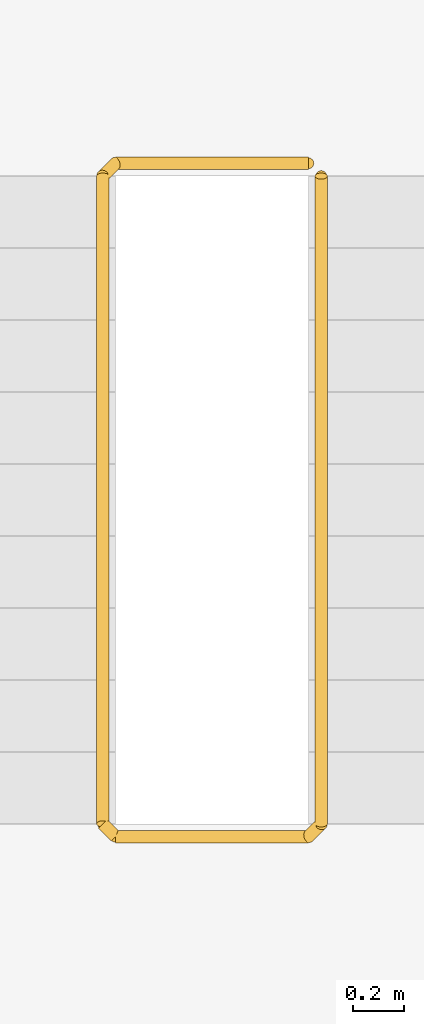
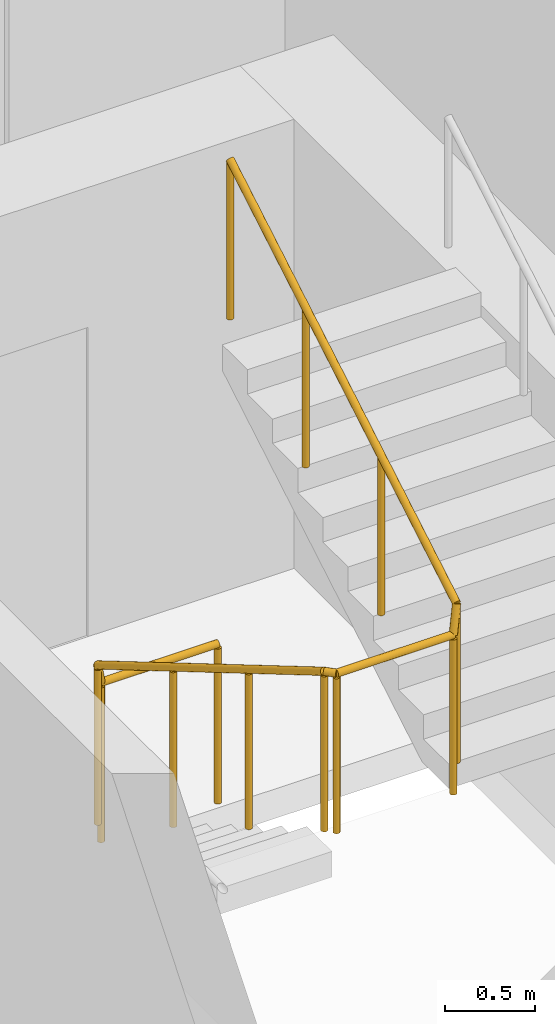
# One storey, part 11 of 12: 1 railing.
"""IFC4 building model written with IfcOpenShell, lengths in metres."""

import ifcopenshell
import ifcopenshell.guid

model = None  # the IFC model being written
_history = None  # IfcOwnerHistory: only IFC2X3 demands one
_inside = {}  # id of a spatial element -> (the spatial element, [elements in it])
_under = {}  # id of a project, library or spatial element -> (it, [spatial elements below it])
_declared = {}  # id of a project -> (the project, [libraries it declares])
_typed = {}  # id of a type object -> (the type object, [elements of that type])
_made_of = {}  # id of a material, layer set ... -> (it, [elements and type objects made of it])


def new_model(schema):
    """Start an empty IFC model of exactly this schema.

    Asked for "IFC4X3", IfcOpenShell would pick the latest addendum, in which some entities
    have other attributes; the version numbers below select the first issue.
    IFC2X3 requires an IfcOwnerHistory on every rooted entity: one is made here for all.
    """
    global model, _history
    if schema == "IFC4X3":
        model = ifcopenshell.file(schema_version=(4, 3, 0, 0))
    else:
        model = ifcopenshell.file(schema=schema)
    _inside.clear()
    _under.clear()
    _declared.clear()
    _typed.clear()
    _made_of.clear()
    _history = None
    if model.schema == "IFC2X3":
        org = make("IfcOrganization", Name="unknown")
        user = make(
            "IfcPersonAndOrganization",
            ThePerson=make("IfcPerson", FamilyName="unknown"),
            TheOrganization=org,
        )
        app = make(
            "IfcApplication",
            ApplicationDeveloper=org,
            Version="unknown",
            ApplicationFullName="unknown",
            ApplicationIdentifier="unknown",
        )
        _history = make(
            "IfcOwnerHistory",
            OwningUser=user,
            OwningApplication=app,
            ChangeAction="ADDED",
            CreationDate=0,
        )
    return model


def make(cls, **values):
    """One entity of the class cls with the attributes given. An attribute that is None is left unset."""
    return model.create_entity(
        cls, **{name: value for name, value in values.items() if value is not None}
    )


def rooted(cls, **values):
    """An entity with a GlobalId (a new one), such as an element, a storey or a relation."""
    return make(cls, GlobalId=ifcopenshell.guid.new(), OwnerHistory=_history, **values)


def si_unit(unit_type, name, prefix=None):
    """IfcSIUnit, for example si_unit("LENGTHUNIT", "METRE", prefix="MILLI")."""
    return make("IfcSIUnit", UnitType=unit_type, Prefix=prefix, Name=name)


def assignment(units):
    """IfcUnitAssignment: the units of a project."""
    return None if units is None else make("IfcUnitAssignment", Units=units)


def point(xyz):
    """IfcCartesianPoint."""
    return None if xyz is None else make("IfcCartesianPoint", Coordinates=xyz)


def direction(xyz):
    """IfcDirection."""
    return None if xyz is None else make("IfcDirection", DirectionRatios=xyz)


def frame(location, z_axis=None, x_axis=None):
    """IfcAxis2Placement3D, a coordinate frame: its origin and axes. An axis left out is left unset."""
    return make(
        "IfcAxis2Placement3D",
        Location=point(location),
        Axis=direction(z_axis),
        RefDirection=direction(x_axis),
    )


def frame_2d(location, x_axis=None):
    """IfcAxis2Placement2D, a coordinate frame in the plane: its origin and x axis."""
    return make(
        "IfcAxis2Placement2D", Location=point(location), RefDirection=direction(x_axis)
    )


def origin():
    """The frame at (0, 0, 0) with its axes left unset."""
    return frame((0.0, 0.0, 0.0))


def origin_2d():
    """The frame at (0, 0) in the plane with its x axis left unset."""
    return frame_2d((0.0, 0.0))


def place(relative_to, where):
    """IfcLocalPlacement: puts the frame where relative to a parent placement (None: the world)."""
    return make(
        "IfcLocalPlacement", PlacementRelTo=relative_to, RelativePlacement=where
    )


def context(
    kind, dimensions, precision=None, world=None, true_north=None, identifier=None
):
    """IfcGeometricRepresentationContext, for example the 3D "Model" context."""
    return make(
        "IfcGeometricRepresentationContext",
        ContextIdentifier=identifier,
        ContextType=kind,
        CoordinateSpaceDimension=dimensions,
        Precision=precision,
        WorldCoordinateSystem=world,
        TrueNorth=true_north,
    )


def subcontext(parent, identifier, kind, view, scale=None):
    """IfcGeometricRepresentationSubContext, for example "Body" below "Model"."""
    return make(
        "IfcGeometricRepresentationSubContext",
        ContextIdentifier=identifier,
        ContextType=kind,
        ParentContext=parent,
        TargetScale=scale,
        TargetView=view,
    )


def project(units=None, contexts=None):
    """IfcProject with its units and contexts."""
    return rooted(
        "IfcProject",
        Name="project",
        RepresentationContexts=contexts,
        UnitsInContext=assignment(units),
    )


def spatial(cls, under=None, at=None, **own):
    """A site, building, storey or space (cls), placed at a placement, below another one or the project."""
    s = rooted(cls, ObjectPlacement=at, **own)
    if under is not None:
        _under.setdefault(under.id(), (under, []))[1].append(s)
    return s


def profile(cls, at=None, kind="AREA", **sizes):
    """A parametric profile (cls). Its sizes go by their IFC names, for example OverallWidth=200.0."""
    return make(cls, ProfileType=kind, Position=at, **sizes)


def circle(**sizes):
    """IfcCircleProfileDef."""
    return profile("IfcCircleProfileDef", **sizes)


def extrude(swept, where, along, depth):
    """IfcExtrudedAreaSolid: the profile swept, set in the frame where, extruded along a direction by depth."""
    return make(
        "IfcExtrudedAreaSolid",
        SweptArea=swept,
        Position=where,
        ExtrudedDirection=direction(along),
        Depth=depth,
    )


def shape(context_of_items, identifier, shape_type, items):
    """IfcShapeRepresentation: the items that make up one representation, for example the "Body"."""
    return make(
        "IfcShapeRepresentation",
        ContextOfItems=context_of_items,
        RepresentationIdentifier=identifier,
        RepresentationType=shape_type,
        Items=items,
    )


def material(Name=None, Category=None):
    """IfcMaterial."""
    return make("IfcMaterial", Name=Name, Category=Category)


def made_of(thing, what):
    """Note that an element or type object is made of a material, layer set ...; save() writes the relation."""
    if what is not None:
        _made_of.setdefault(what.id(), (what, []))[1].append(thing)
    return thing


def type_object(cls, material=None, **own):
    """A type object (cls), such as IfcWallType, which elements share."""
    return made_of(rooted(cls, **own), material)


def element(
    cls,
    number,
    at=None,
    inside=None,
    cuts=None,
    type_object=None,
    material=None,
    context=None,
    identifier="Body",
    shape_type=None,
    held_by="IfcProductDefinitionShape",
    body=None,
    shapes=None,
    **own,
):
    """One element of the class cls, such as IfcWall. Its Tag is "e" and its number.

    at: its placement. inside: the storey or other place that contains it. cuts: it is an
    opening in that element (IfcRelVoidsElement). A single representation is given by context,
    identifier, shape_type and body (its items); several are given by shapes. held_by: the class
    of the entity that holds the representations. save() writes the other relations.
    """
    e = rooted(cls, Tag="e%d" % number, ObjectPlacement=at, **own)
    if body is not None:
        shapes = [shape(context, identifier, shape_type, body)]
    if shapes is not None:
        e.Representation = make(held_by, Representations=shapes)
    if inside is not None:
        _inside.setdefault(inside.id(), (inside, []))[1].append(e)
    if cuts is not None:
        rooted(
            "IfcRelVoidsElement", RelatingBuildingElement=cuts, RelatedOpeningElement=e
        )
    if type_object is not None:
        _typed.setdefault(type_object.id(), (type_object, []))[1].append(e)
    return made_of(e, material)


def aggregate(whole, parts):
    """IfcRelAggregates: a whole, such as a stair, and the parts it consists of."""
    return rooted("IfcRelAggregates", RelatingObject=whole, RelatedObjects=parts)


def save(model, path):
    """Write the relations noted so far, then the file.

    IfcRelAggregates (storeys below a building ...), IfcRelContainedInSpatialStructure (elements
    in a storey), IfcRelDefinesByType, IfcRelAssociatesMaterial and IfcRelDeclares: one each for
    every whole, place, type object, material and project.
    """
    for whole, parts in _under.values():
        aggregate(whole, parts)
    for where, things in _inside.values():
        rooted(
            "IfcRelContainedInSpatialStructure",
            RelatedElements=things,
            RelatingStructure=where,
        )
    for kind, things in _typed.values():
        rooted("IfcRelDefinesByType", RelatedObjects=things, RelatingType=kind)
    for what, things in _made_of.values():
        rooted("IfcRelAssociatesMaterial", RelatedObjects=things, RelatingMaterial=what)
    for by, libraries in _declared.values():
        rooted("IfcRelDeclares", RelatingContext=by, RelatedDefinitions=libraries)
    model.write(path)


model = new_model("IFC4")

# Units and contexts
model_context = context("Model", 3, precision=1e-05, world=origin(), true_north=direction((0.0, 1.0)))
body_context = subcontext(model_context, "Body", "Model", "MODEL_VIEW")
ifc_project = project(units=[si_unit("LENGTHUNIT", "METRE"), si_unit("AREAUNIT", "SQUARE_METRE"), si_unit("VOLUMEUNIT", "CUBIC_METRE"), si_unit("PLANEANGLEUNIT", "RADIAN"), si_unit("MASSUNIT", "GRAM", prefix="KILO")], contexts=[model_context])

# Site, building, storey
site_placement = place(None, origin())
site = spatial("IfcSite", under=ifc_project, at=site_placement, CompositionType="ELEMENT")
building_placement = place(site_placement, origin())
building = spatial("IfcBuilding", under=site, at=building_placement, Name="Amberfall Residences", CompositionType="ELEMENT")
storey_placement = place(building_placement, frame((0.0, 0.0, 187.0)))
storey = spatial("IfcBuildingStorey", under=building, at=storey_placement, Name="L49", CompositionType="ELEMENT", Elevation=187.0)

# Railing
ifc_material = material(Name="Stainless steel 316", Category="steel")
railing_type = type_object("IfcRailingType", Name="Stair guard 1100", PredefinedType="GUARDRAIL", material=ifc_material)
railing_placement = place(storey_placement, frame((84.39990234375, 55.14990234375, 0.0)))
element("IfcRailing", 1, at=railing_placement, inside=storey, type_object=railing_type, Name="L49 stair 3 guard", PredefinedType="GUARDRAIL", context=body_context, shape_type="SweptSolid", body=[
    extrude(circle(Radius=0.02392578125, at=origin_2d()), frame((0.0, 0.0, 1.076171875), z_axis=(-1.0, 0.0, 0.0), x_axis=(0.0, -1.0, 0.0)), (0.0, 0.0, 1.0), 0.75),
    extrude(circle(Radius=0.02392578125, at=origin_2d()), frame((-0.75, 0.0, 1.076171875), z_axis=(-0.27755538755, -0.27755538755, 0.919742362667), x_axis=(0.707106781187, -0.707106781187, 0.0)), (0.0, 0.0, 1.0), 0.179443359375),
    extrude(circle(Radius=0.02392578125, at=origin_2d()), frame((-0.7998046875, -0.0498046875, 1.2412109375), z_axis=(0.0, -0.861560626758, 0.507654692109), x_axis=(1.0, 0.0, 0.0)), (0.0, 0.0, 1.0), 2.925048828125),
    extrude(circle(Radius=0.02392578125, at=origin_2d()), frame((-0.7998046875, -2.56982421875, 2.72607421875), z_axis=(0.705375805398, -0.708833529934, 0.0), x_axis=(0.708833529934, 0.705375805398, 0.0)), (0.0, 0.0, 1.0), 0.070556640625),
    extrude(circle(Radius=0.02392578125, at=origin_2d()), frame((-0.75, -2.619873046875, 2.72607421875), z_axis=(1.0, 0.0, 0.0), x_axis=(0.0, 1.0, 0.0)), (0.0, 0.0, 1.0), 0.75),
    extrude(circle(Radius=0.02392578125, at=origin_2d()), frame((0.0, -2.619873046875, 2.72607421875), z_axis=(0.278705021027, 0.278705021027, 0.919046801044), x_axis=(-0.707106781187, 0.707106781187, 0.0)), (0.0, 0.0, 1.0), 0.1796875),
    extrude(circle(Radius=0.02392578125, at=origin_2d()), frame((0.050048828125, -2.56982421875, 2.89111328125), z_axis=(0.0, 0.86152411907, 0.507716645641), x_axis=(-1.0, 0.0, 0.0)), (0.0, 0.0, 1.0), 2.925048828125),
    extrude(circle(Radius=0.02099609375, at=origin_2d()), origin(), (0.0, 0.0, 1.0), 1.052001953125),
    extrude(circle(Radius=0.02099609375, at=origin_2d()), frame((-0.75, 0.0, 0.0)), (0.0, 0.0, 1.0), 1.052001953125),
    extrude(circle(Radius=0.02099609375, at=origin_2d()), frame((-0.7998046875, -0.0498046875, 0.1650390625)), (0.0, 0.0, 1.0), 1.052001953125),
    extrude(circle(Radius=0.02099609375, at=origin_2d()), frame((-0.7998046875, -0.889892578125, 0.659912109375)), (0.0, 0.0, 1.0), 1.052001953125),
    extrude(circle(Radius=0.02099609375, at=origin_2d()), frame((-0.7998046875, -1.729736328125, 1.155029296875)), (0.0, 0.0, 1.0), 1.052001953125),
    extrude(circle(Radius=0.02099609375, at=origin_2d()), frame((-0.7998046875, -2.56982421875, 1.64990234375)), (0.0, 0.0, 1.0), 1.052001953125),
    extrude(circle(Radius=0.02099609375, at=origin_2d()), frame((-0.75, -2.619873046875, 1.64990234375)), (0.0, 0.0, 1.0), 1.052001953125),
    extrude(circle(Radius=0.02099609375, at=origin_2d()), frame((0.0, -2.619873046875, 1.64990234375)), (0.0, 0.0, 1.0), 1.052001953125),
    extrude(circle(Radius=0.02099609375, at=origin_2d()), frame((0.050048828125, -2.56982421875, 1.81494140625)), (0.0, 0.0, 1.0), 1.052001953125),
    extrude(circle(Radius=0.02099609375, at=origin_2d()), frame((0.050048828125, -1.729736328125, 2.31005859375)), (0.0, 0.0, 1.0), 1.052001953125),
    extrude(circle(Radius=0.02099609375, at=origin_2d()), frame((0.050048828125, -0.889892578125, 2.804931640625)), (0.0, 0.0, 1.0), 1.052001953125),
    extrude(circle(Radius=0.02099609375, at=origin_2d()), frame((0.050048828125, -0.0498046875, 3.300048828125)), (0.0, 0.0, 1.0), 1.052001953125),
])

save(model, "model.ifc")
